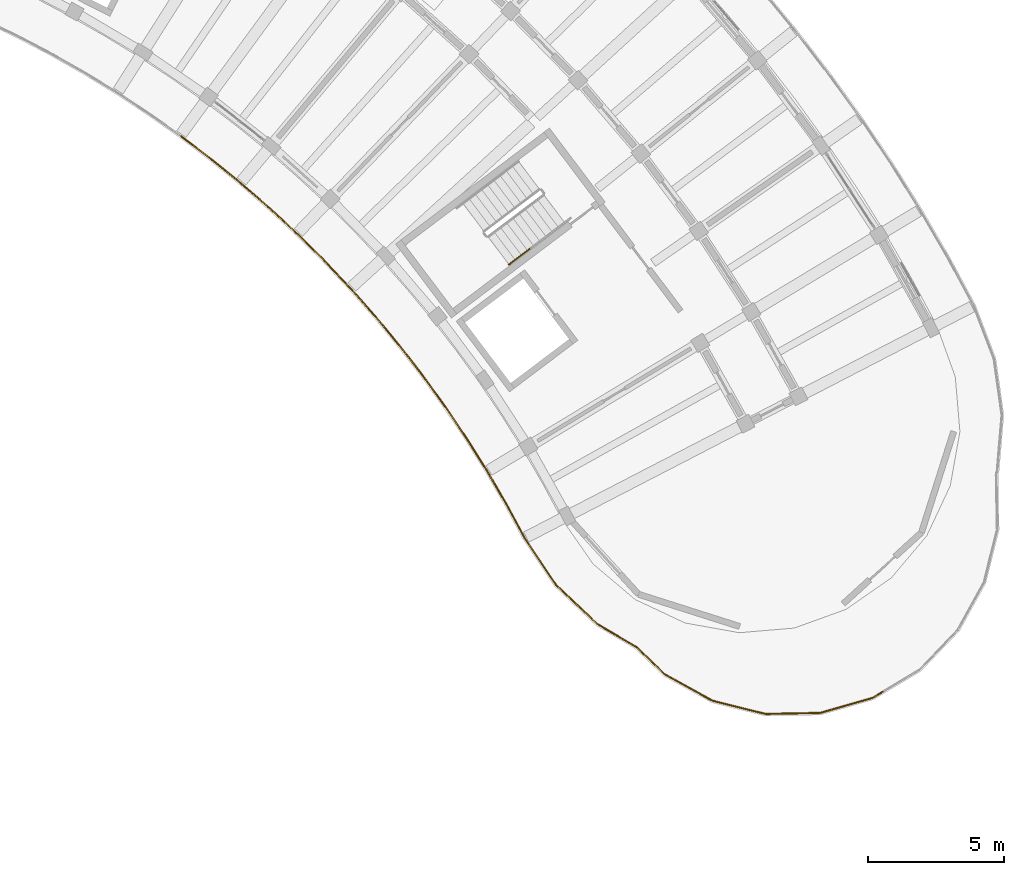
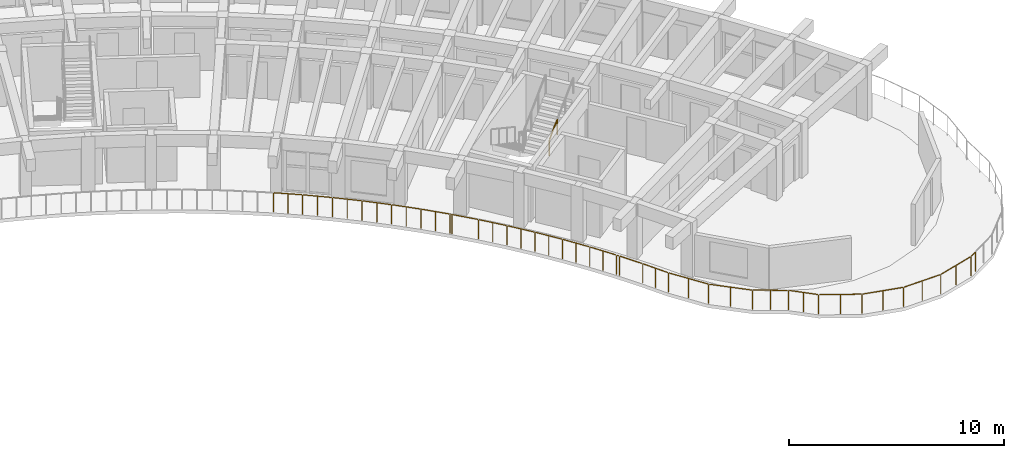
# One storey, part 34 of 36: 6 railings.
"""IFC4 building model written with IfcOpenShell, lengths in metres."""

from ifc_helpers import new_model, si_unit, direction, frame, origin, origin_2d, place, context, subcontext, project, spatial, circle, extrude, material, type_object, element, save


model = new_model("IFC4")

# Units and contexts
model_context = context("Model", 3, precision=1e-05, world=origin(), true_north=direction((0.0, 1.0)))
body_context = subcontext(model_context, "Body", "Model", "MODEL_VIEW")
ifc_project = project(units=[si_unit("LENGTHUNIT", "METRE"), si_unit("AREAUNIT", "SQUARE_METRE"), si_unit("VOLUMEUNIT", "CUBIC_METRE"), si_unit("PLANEANGLEUNIT", "RADIAN"), si_unit("MASSUNIT", "GRAM", prefix="KILO")], contexts=[model_context])

# Site, building, storey
site_placement = place(None, origin())
site = spatial("IfcSite", under=ifc_project, at=site_placement, CompositionType="ELEMENT")
building_placement = place(site_placement, origin())
building = spatial("IfcBuilding", under=site, at=building_placement, Name="Tanwirah Colonnade Gardens", CompositionType="ELEMENT")
storey_placement = place(building_placement, frame((0.0, 0.0, 39.080078125)))
storey = spatial("IfcBuildingStorey", under=building, at=storey_placement, Name="L11", CompositionType="ELEMENT", Elevation=39.080078125)

# Railings
ifc_material_1 = material(Name="Precast concrete C40/50", Category="concrete")
railing_type_1 = type_object("IfcRailingType", Name="BAL-EXT112", PredefinedType="BALUSTRADE", material=ifc_material_1)
railing_1_placement = place(storey_placement, frame((163.03173828125, 75.780029296875, 0.0)))
element("IfcRailing", 1, at=railing_1_placement, inside=storey, type_object=railing_type_1, Name="Block B L11 Balcony Ribbon Balustrade 1", PredefinedType="BALUSTRADE", context=body_context, shape_type="SweptSolid", body=[
    extrude(circle(Radius=0.02392578125, at=origin_2d()), frame((-0.02685546875, 0.015869140625, 1.09619140625), z_axis=(-0.86138556566, 0.507951678088, 0.0), x_axis=(-0.507951678088, -0.86138556566, 0.0)), (0.0, 0.0, 1.0), 1.609130859375),
    extrude(circle(Radius=0.02392578125, at=origin_2d()), frame((-1.462646484375, 0.87060546875, 1.09619140625), z_axis=(-0.726828201995, 0.686819310142, 0.0), x_axis=(-0.686819310142, -0.726828201995, 0.0)), (0.0, 0.0, 1.0), 2.0244140625),
    extrude(circle(Radius=0.02392578125, at=origin_2d()), frame((-2.97412109375, 2.308349609375, 1.09619140625), z_axis=(-0.555723141741, 0.831367421622, 0.0), x_axis=(-0.831367421622, -0.555723141741, 0.0)), (0.0, 0.0, 1.0), 2.029541015625),
    extrude(circle(Radius=0.02392578125, at=origin_2d()), frame((-4.13427734375, 4.04931640625, 1.09619140625), z_axis=(-0.47378794551, 0.880638962736, 0.0), x_axis=(-0.880638962736, -0.47378794551, 0.0)), (0.0, 0.0, 1.0), 1.338134765625),
    extrude(circle(Radius=0.02392578125, at=origin_2d()), frame((-4.7998046875, 5.284423828125, 1.09619140625), z_axis=(-0.502518300065, 0.864566572393, 0.0), x_axis=(-0.864566572393, -0.502518300065, 0.0)), (0.0, 0.0, 1.0), 1.18359375),
    extrude(circle(Radius=0.02099609375, at=origin_2d()), origin(), (0.0, 0.0, 1.0), 1.069091796875),
    extrude(circle(Radius=0.02099609375, at=origin_2d()), frame((-0.719970703125, 0.424560546875, 0.0)), (0.0, 0.0, 1.0), 1.069091796875),
    extrude(circle(Radius=0.02099609375, at=origin_2d()), frame((-1.43994140625, 0.84912109375, 0.0)), (0.0, 0.0, 1.0), 1.069091796875),
    extrude(circle(Radius=0.02099609375, at=origin_2d()), frame((-2.1982421875, 1.56591796875, 0.0)), (0.0, 0.0, 1.0), 1.069091796875),
    extrude(circle(Radius=0.02099609375, at=origin_2d()), frame((-2.956787109375, 2.282470703125, 0.0)), (0.0, 0.0, 1.0), 1.069091796875),
    extrude(circle(Radius=0.02099609375, at=origin_2d()), frame((-3.5380859375, 3.152099609375, 0.0)), (0.0, 0.0, 1.0), 1.069091796875),
    extrude(circle(Radius=0.02099609375, at=origin_2d()), frame((-4.119384765625, 4.021728515625, 0.0)), (0.0, 0.0, 1.0), 1.069091796875),
    extrude(circle(Radius=0.02099609375, at=origin_2d()), frame((-4.451171875, 4.638427734375, 0.0)), (0.0, 0.0, 1.0), 1.069091796875),
    extrude(circle(Radius=0.02099609375, at=origin_2d()), frame((-4.782958984375, 5.255126953125, 0.0)), (0.0, 0.0, 1.0), 1.069091796875),
    extrude(circle(Radius=0.02099609375, at=origin_2d()), frame((-5.410400390625, 6.334716796875, 0.0)), (0.0, 0.0, 1.0), 1.069091796875),
])
railing_2_placement = place(storey_placement, frame((157.621337890625, 82.11474609375, 0.0)))
element("IfcRailing", 2, at=railing_2_placement, inside=storey, type_object=railing_type_1, Name="Block B L11 Balcony Ribbon Balustrade 2", PredefinedType="BALUSTRADE", context=body_context, shape_type="SweptSolid", body=[
    extrude(circle(Radius=0.02392578125, at=origin_2d()), frame((-0.015625, 0.027099609375, 1.09619140625), z_axis=(-0.501279450492, 0.865285451464, 0.0), x_axis=(-0.865285451464, -0.501279450492, 0.0)), (0.0, 0.0, 1.0), 0.095703125),
    extrude(circle(Radius=0.02392578125, at=origin_2d()), frame((-0.097412109375, 0.165771484375, 1.09619140625), z_axis=(-0.530764445851, 0.847519382091, 0.0), x_axis=(-0.847519382091, -0.530764445851, 0.0)), (0.0, 0.0, 1.0), 1.341796875),
    extrude(circle(Radius=0.02392578125, at=origin_2d()), frame((-0.84521484375, 1.357421875, 1.09619140625), z_axis=(-0.558385571779, 0.829581553091, 0.0), x_axis=(-0.829581553091, -0.558385571779, 0.0)), (0.0, 0.0, 1.0), 1.341796875),
    extrude(circle(Radius=0.02392578125, at=origin_2d()), frame((-1.631591796875, 2.524169921875, 1.09619140625), z_axis=(-0.585522290474, 0.810656306556, 0.0), x_axis=(-0.810656306556, -0.585522290474, 0.0)), (0.0, 0.0, 1.0), 1.341796875),
    extrude(circle(Radius=0.02392578125, at=origin_2d()), frame((-2.4560546875, 3.6640625, 1.09619140625), z_axis=(-0.611783903817, 0.791024939576, 0.0), x_axis=(-0.791024939576, -0.611783903817, 0.0)), (0.0, 0.0, 1.0), 1.341796875),
    extrude(circle(Radius=0.02392578125, at=origin_2d()), frame((-3.31787109375, 4.7763671875, 1.09619140625), z_axis=(-0.637581943595, 0.770382544715, 0.0), x_axis=(-0.770382544715, -0.637581943595, 0.0)), (0.0, 0.0, 1.0), 1.342041015625),
    extrude(circle(Radius=0.02392578125, at=origin_2d()), frame((-4.2158203125, 5.859619140625, 1.09619140625), z_axis=(-0.662537526876, 0.749028721399, 0.0), x_axis=(-0.749028721399, -0.662537526876, 0.0)), (0.0, 0.0, 1.0), 1.241455078125),
    extrude(circle(Radius=0.02099609375, at=origin_2d()), origin(), (0.0, 0.0, 1.0), 1.069091796875),
    extrude(circle(Radius=0.02099609375, at=origin_2d()), frame((-0.079345703125, 0.136962890625, 0.0)), (0.0, 0.0, 1.0), 1.069091796875),
    extrude(circle(Radius=0.02099609375, at=origin_2d()), frame((-0.45361328125, 0.734375, 0.0)), (0.0, 0.0, 1.0), 1.069091796875),
    extrude(circle(Radius=0.02099609375, at=origin_2d()), frame((-0.826171875, 1.329345703125, 0.0)), (0.0, 0.0, 1.0), 1.069091796875),
    extrude(circle(Radius=0.02099609375, at=origin_2d()), frame((-1.2197265625, 1.9140625, 0.0)), (0.0, 0.0, 1.0), 1.069091796875),
    extrude(circle(Radius=0.02099609375, at=origin_2d()), frame((-1.61181640625, 2.49658203125, 0.0)), (0.0, 0.0, 1.0), 1.069091796875),
    extrude(circle(Radius=0.02099609375, at=origin_2d()), frame((-2.0244140625, 3.06787109375, 0.0)), (0.0, 0.0, 1.0), 1.069091796875),
    extrude(circle(Radius=0.02099609375, at=origin_2d()), frame((-2.435546875, 3.63720703125, 0.0)), (0.0, 0.0, 1.0), 1.069091796875),
    extrude(circle(Radius=0.02099609375, at=origin_2d()), frame((-2.86669921875, 4.19482421875, 0.0)), (0.0, 0.0, 1.0), 1.069091796875),
    extrude(circle(Radius=0.02099609375, at=origin_2d()), frame((-3.296142578125, 4.750244140625, 0.0)), (0.0, 0.0, 1.0), 1.069091796875),
    extrude(circle(Radius=0.02099609375, at=origin_2d()), frame((-3.74560546875, 5.293212890625, 0.0)), (0.0, 0.0, 1.0), 1.069091796875),
    extrude(circle(Radius=0.02099609375, at=origin_2d()), frame((-4.193359375, 5.834228515625, 0.0)), (0.0, 0.0, 1.0), 1.069091796875),
    extrude(circle(Radius=0.02099609375, at=origin_2d()), frame((-5.05908203125, 6.81298828125, 0.0)), (0.0, 0.0, 1.0), 1.069091796875),
])
railing_3_placement = place(storey_placement, frame((152.562255859375, 88.927734375, 0.0)))
element("IfcRailing", 3, at=railing_3_placement, inside=storey, type_object=railing_type_1, Name="Block B L11 Balcony Ribbon Balustrade 3", PredefinedType="BALUSTRADE", context=body_context, shape_type="SweptSolid", body=[
    extrude(circle(Radius=0.02392578125, at=origin_2d()), frame((-0.020751953125, 0.0234375, 1.09619140625), z_axis=(-0.663152344369, 0.748484447505, 0.0), x_axis=(-0.748484447505, -0.663152344369, 0.0)), (0.0, 0.0, 1.0), 0.03759765625),
    extrude(circle(Radius=0.02392578125, at=origin_2d()), frame((-0.089599609375, 0.099609375, 1.09619140625), z_axis=(-0.687011382404, 0.726646654466, 0.0), x_axis=(-0.726646654466, -0.687011382404, 0.0)), (0.0, 0.0, 1.0), 1.341796875),
    extrude(circle(Radius=0.02392578125, at=origin_2d()), frame((-1.056884765625, 1.121337890625, 1.09619140625), z_axis=(-0.710488556831, 0.703708754111, 0.0), x_axis=(-0.703708754111, -0.710488556831, 0.0)), (0.0, 0.0, 1.0), 1.341796875),
    extrude(circle(Radius=0.02392578125, at=origin_2d()), frame((-2.057373046875, 2.110595703125, 1.09619140625), z_axis=(-0.73336899588, 0.679830799451, 0.0), x_axis=(-0.679830799451, -0.73336899588, 0.0)), (0.0, 0.0, 1.0), 1.342041015625),
    extrude(circle(Radius=0.02392578125, at=origin_2d()), frame((-3.090087890625, 3.06640625, 1.09619140625), z_axis=(-0.755402192857, 0.655261418845, 0.0), x_axis=(-0.655261418845, -0.755402192857, 0.0)), (0.0, 0.0, 1.0), 1.341796875),
    extrude(circle(Radius=0.02392578125, at=origin_2d()), frame((-4.1533203125, 3.987548828125, 1.09619140625), z_axis=(-0.776491375378, 0.630127879056, 0.0), x_axis=(-0.630127879056, -0.776491375378, 0.0)), (0.0, 0.0, 1.0), 1.342041015625),
    extrude(circle(Radius=0.02392578125, at=origin_2d()), frame((-5.24658203125, 4.873046875, 1.09619140625), z_axis=(-0.796828105944, 0.604206065492, 0.0), x_axis=(-0.604206065492, -0.796828105944, 0.0)), (0.0, 0.0, 1.0), 1.300048828125),
    extrude(circle(Radius=0.02099609375, at=origin_2d()), origin(), (0.0, 0.0, 1.0), 1.069091796875),
    extrude(circle(Radius=0.02099609375, at=origin_2d()), frame((-0.06640625, 0.074951171875, 0.0)), (0.0, 0.0, 1.0), 1.069091796875),
    extrude(circle(Radius=0.02099609375, at=origin_2d()), frame((-0.550537109375, 0.587158203125, 0.0)), (0.0, 0.0, 1.0), 1.069091796875),
    extrude(circle(Radius=0.02099609375, at=origin_2d()), frame((-1.032958984375, 1.097412109375, 0.0)), (0.0, 0.0, 1.0), 1.069091796875),
    extrude(circle(Radius=0.02099609375, at=origin_2d()), frame((-1.53369140625, 1.593505859375, 0.0)), (0.0, 0.0, 1.0), 1.069091796875),
    extrude(circle(Radius=0.02099609375, at=origin_2d()), frame((-2.032470703125, 2.087646484375, 0.0)), (0.0, 0.0, 1.0), 1.069091796875),
    extrude(circle(Radius=0.02099609375, at=origin_2d()), frame((-2.54931640625, 2.56689453125, 0.0)), (0.0, 0.0, 1.0), 1.069091796875),
    extrude(circle(Radius=0.02099609375, at=origin_2d()), frame((-3.064453125, 3.044189453125, 0.0)), (0.0, 0.0, 1.0), 1.069091796875),
    extrude(circle(Radius=0.02099609375, at=origin_2d()), frame((-3.5966796875, 3.505859375, 0.0)), (0.0, 0.0, 1.0), 1.069091796875),
    extrude(circle(Radius=0.02099609375, at=origin_2d()), frame((-4.127197265625, 3.966064453125, 0.0)), (0.0, 0.0, 1.0), 1.069091796875),
    extrude(circle(Radius=0.02099609375, at=origin_2d()), frame((-4.67431640625, 4.41015625, 0.0)), (0.0, 0.0, 1.0), 1.069091796875),
    extrude(circle(Radius=0.02099609375, at=origin_2d()), frame((-5.2197265625, 4.852783203125, 0.0)), (0.0, 0.0, 1.0), 1.069091796875),
    extrude(circle(Radius=0.02099609375, at=origin_2d()), frame((-5.7646484375, 5.265869140625, 0.0)), (0.0, 0.0, 1.0), 1.069091796875),
    extrude(circle(Radius=0.02099609375, at=origin_2d()), frame((-6.307373046875, 5.677490234375, 0.0)), (0.0, 0.0, 1.0), 1.069091796875),
])
railing_4_placement = place(storey_placement, frame((172.124755859375, 74.129638671875, 0.0)))
element("IfcRailing", 4, at=railing_4_placement, inside=storey, type_object=railing_type_1, Name="Block B L11 Balcony Ribbon Balustrade 17", PredefinedType="BALUSTRADE", context=body_context, shape_type="SweptSolid", body=[
    extrude(circle(Radius=0.02392578125, at=origin_2d()), frame((-0.02685546875, -0.01611328125, 1.09619140625), z_axis=(-0.856551098623, -0.516062220519, 0.0), x_axis=(0.516062220519, -0.856551098623, 0.0)), (0.0, 0.0, 1.0), 0.372802734375),
    extrude(circle(Radius=0.02392578125, at=origin_2d()), frame((-0.40283203125, -0.233154296875, 1.09619140625), z_axis=(-0.960987222191, -0.276592767053, 0.0), x_axis=(0.276592767053, -0.960987222191, 0.0)), (0.0, 0.0, 1.0), 1.95263671875),
    extrude(circle(Radius=0.02392578125, at=origin_2d()), frame((-2.340576171875, -0.782470703125, 1.09619140625), z_axis=(-0.999830440151, -0.018414422259, 0.0), x_axis=(0.018414422259, -0.999830440151, 0.0)), (0.0, 0.0, 1.0), 1.95263671875),
    extrude(circle(Radius=0.02392578125, at=origin_2d()), frame((-4.3544921875, -0.8115234375, 1.09619140625), z_axis=(-0.970533189383, 0.24096748392, 0.0), x_axis=(-0.24096748392, -0.970533189383, 0.0)), (0.0, 0.0, 1.0), 1.95263671875),
    extrude(circle(Radius=0.02392578125, at=origin_2d()), frame((-6.307373046875, -0.318359375, 1.09619140625), z_axis=(-0.875070070195, 0.483996252309, 0.0), x_axis=(-0.483996252309, -0.875070070195, 0.0)), (0.0, 0.0, 1.0), 1.95263671875),
    extrude(circle(Radius=0.02099609375, at=origin_2d()), origin(), (0.0, 0.0, 1.0), 1.069091796875),
    extrude(circle(Radius=0.02099609375, at=origin_2d()), frame((-0.372802734375, -0.224609375, 0.0)), (0.0, 0.0, 1.0), 1.069091796875),
    extrude(circle(Radius=0.02099609375, at=origin_2d()), frame((-1.341064453125, -0.50341796875, 0.0)), (0.0, 0.0, 1.0), 1.069091796875),
    extrude(circle(Radius=0.02099609375, at=origin_2d()), frame((-2.309326171875, -0.781982421875, 0.0)), (0.0, 0.0, 1.0), 1.069091796875),
    extrude(circle(Radius=0.02099609375, at=origin_2d()), frame((-3.31689453125, -0.800537109375, 0.0)), (0.0, 0.0, 1.0), 1.069091796875),
    extrude(circle(Radius=0.02099609375, at=origin_2d()), frame((-4.32421875, -0.819091796875, 0.0)), (0.0, 0.0, 1.0), 1.069091796875),
    extrude(circle(Radius=0.02099609375, at=origin_2d()), frame((-5.30224609375, -0.576171875, 0.0)), (0.0, 0.0, 1.0), 1.069091796875),
    extrude(circle(Radius=0.02099609375, at=origin_2d()), frame((-6.280029296875, -0.33349609375, 0.0)), (0.0, 0.0, 1.0), 1.069091796875),
    extrude(circle(Radius=0.02099609375, at=origin_2d()), frame((-7.16162109375, 0.154296875, 0.0)), (0.0, 0.0, 1.0), 1.069091796875),
    extrude(circle(Radius=0.02099609375, at=origin_2d()), frame((-8.04345703125, 0.641845703125, 0.0)), (0.0, 0.0, 1.0), 1.069091796875),
])
railing_5_placement = place(storey_placement, frame((164.078369140625, 74.7744140625, 0.0)))
element("IfcRailing", 5, at=railing_5_placement, inside=storey, type_object=railing_type_1, Name="Block B L11 Balcony Ribbon Balustrade 18", PredefinedType="BALUSTRADE", context=body_context, shape_type="SweptSolid", body=[
    extrude(circle(Radius=0.02392578125, at=origin_2d()), frame((-0.0224609375, 0.021728515625, 1.09619140625), z_axis=(-0.720020619269, 0.693952669731, 0.0), x_axis=(-0.693952669731, -0.720020619269, 0.0)), (0.0, 0.0, 1.0), 1.370361328125),
    extrude(circle(Radius=0.02099609375, at=origin_2d()), origin(), (0.0, 0.0, 1.0), 1.069091796875),
    extrude(circle(Radius=0.02099609375, at=origin_2d()), frame((-0.515869140625, 0.4970703125, 0.0)), (0.0, 0.0, 1.0), 1.069091796875),
    extrude(circle(Radius=0.02099609375, at=origin_2d()), frame((-1.03173828125, 0.994384765625, 0.0)), (0.0, 0.0, 1.0), 1.069091796875),
])
ifc_material_2 = material(Name="Brushed bronze stainless steel", Category="steel")
railing_type_2 = type_object("IfcRailingType", Name="HR-ST090", PredefinedType="HANDRAIL", material=ifc_material_2)
railing_6_placement = place(storey_placement, frame((158.3427734375, 89.8798828125, 1.847900390625)))
element("IfcRailing", 6, at=railing_6_placement, inside=storey, type_object=railing_type_2, Name="L11 ST-B1 stair handrail 4", PredefinedType="HANDRAIL", context=body_context, shape_type="SweptSolid", body=[
    extrude(circle(Radius=0.02392578125, at=origin_2d()), frame((0.021484375, 0.01611328125, 0.891845703125), z_axis=(0.686028488458, 0.517115777267, 0.511816554955), x_axis=(-0.601931007785, 0.798548096152, 0.0)), (0.0, 0.0, 1.0), 1.043212890625),
    extrude(circle(Radius=0.02099609375, at=origin_2d()), origin(), (0.0, 0.0, 1.0), 0.848876953125),
    extrude(circle(Radius=0.02099609375, at=origin_2d()), frame((0.758544921875, 0.57177734375, 0.56591796875)), (0.0, 0.0, 1.0), 0.848876953125),
])

save(model, "model.ifc")
